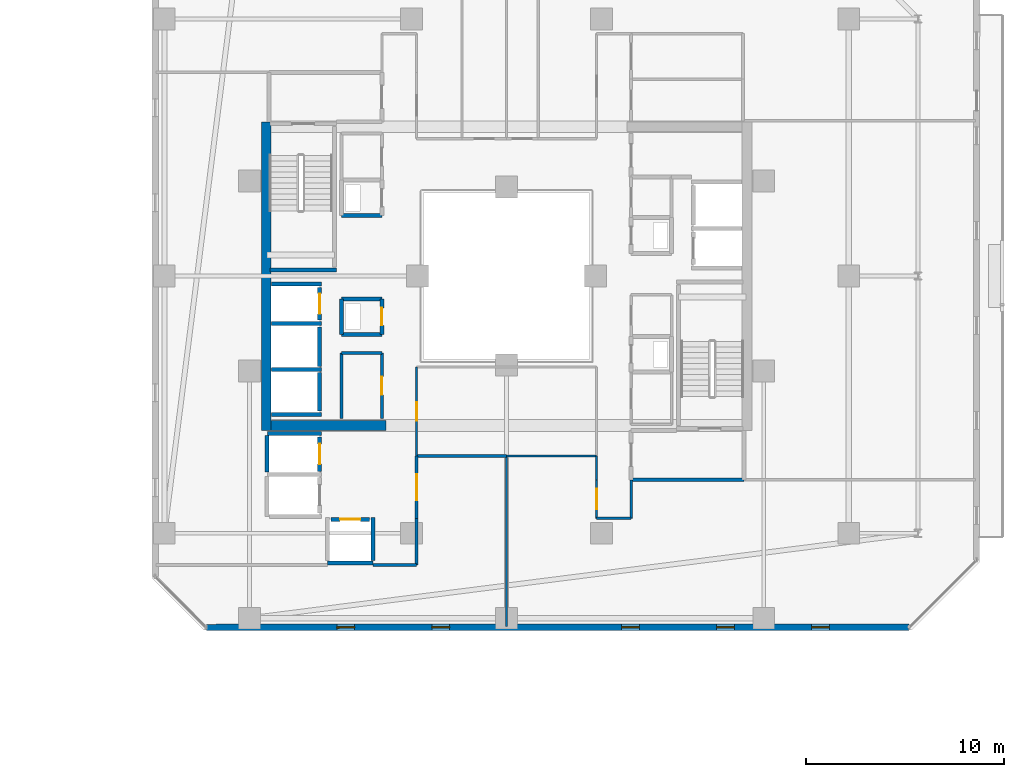
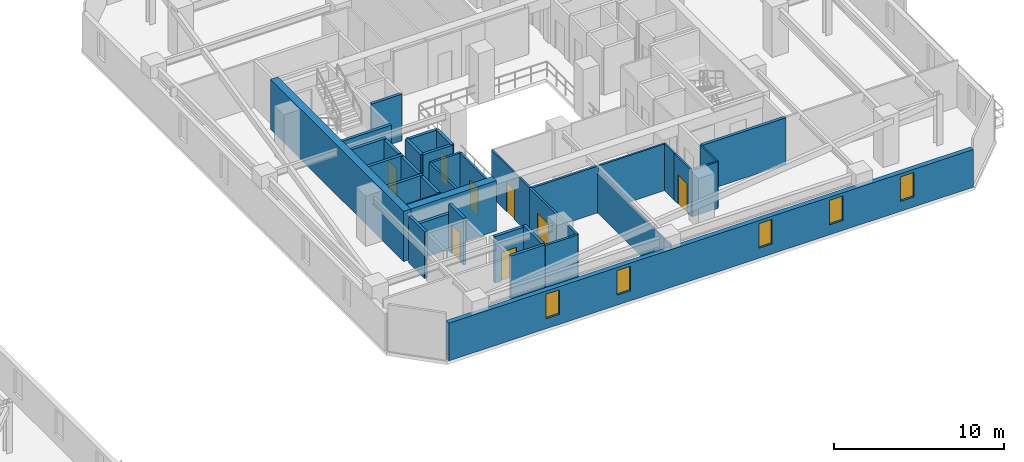
# One storey, part 23 of 33: 37 walls, 8 doors, 5 windows, 13 openings.
"""IFC4 building model written with IfcOpenShell, lengths in metres."""

import ifcopenshell
import ifcopenshell.guid

model = None  # the IFC model being written
_history = None  # IfcOwnerHistory: only IFC2X3 demands one
_inside = {}  # id of a spatial element -> (the spatial element, [elements in it])
_under = {}  # id of a project, library or spatial element -> (it, [spatial elements below it])
_declared = {}  # id of a project -> (the project, [libraries it declares])
_typed = {}  # id of a type object -> (the type object, [elements of that type])
_made_of = {}  # id of a material, layer set ... -> (it, [elements and type objects made of it])


def new_model(schema):
    """Start an empty IFC model of exactly this schema.

    Asked for "IFC4X3", IfcOpenShell would pick the latest addendum, in which some entities
    have other attributes; the version numbers below select the first issue.
    IFC2X3 requires an IfcOwnerHistory on every rooted entity: one is made here for all.
    """
    global model, _history
    if schema == "IFC4X3":
        model = ifcopenshell.file(schema_version=(4, 3, 0, 0))
    else:
        model = ifcopenshell.file(schema=schema)
    _inside.clear()
    _under.clear()
    _declared.clear()
    _typed.clear()
    _made_of.clear()
    _history = None
    if model.schema == "IFC2X3":
        org = make("IfcOrganization", Name="unknown")
        user = make(
            "IfcPersonAndOrganization",
            ThePerson=make("IfcPerson", FamilyName="unknown"),
            TheOrganization=org,
        )
        app = make(
            "IfcApplication",
            ApplicationDeveloper=org,
            Version="unknown",
            ApplicationFullName="unknown",
            ApplicationIdentifier="unknown",
        )
        _history = make(
            "IfcOwnerHistory",
            OwningUser=user,
            OwningApplication=app,
            ChangeAction="ADDED",
            CreationDate=0,
        )
    return model


def make(cls, **values):
    """One entity of the class cls with the attributes given. An attribute that is None is left unset."""
    return model.create_entity(
        cls, **{name: value for name, value in values.items() if value is not None}
    )


def rooted(cls, **values):
    """An entity with a GlobalId (a new one), such as an element, a storey or a relation."""
    return make(cls, GlobalId=ifcopenshell.guid.new(), OwnerHistory=_history, **values)


def si_unit(unit_type, name, prefix=None):
    """IfcSIUnit, for example si_unit("LENGTHUNIT", "METRE", prefix="MILLI")."""
    return make("IfcSIUnit", UnitType=unit_type, Prefix=prefix, Name=name)


def assignment(units):
    """IfcUnitAssignment: the units of a project."""
    return None if units is None else make("IfcUnitAssignment", Units=units)


def point(xyz):
    """IfcCartesianPoint."""
    return None if xyz is None else make("IfcCartesianPoint", Coordinates=xyz)


def direction(xyz):
    """IfcDirection."""
    return None if xyz is None else make("IfcDirection", DirectionRatios=xyz)


def frame(location, z_axis=None, x_axis=None):
    """IfcAxis2Placement3D, a coordinate frame: its origin and axes. An axis left out is left unset."""
    return make(
        "IfcAxis2Placement3D",
        Location=point(location),
        Axis=direction(z_axis),
        RefDirection=direction(x_axis),
    )


def frame_2d(location, x_axis=None):
    """IfcAxis2Placement2D, a coordinate frame in the plane: its origin and x axis."""
    return make(
        "IfcAxis2Placement2D", Location=point(location), RefDirection=direction(x_axis)
    )


def origin():
    """The frame at (0, 0, 0) with its axes left unset."""
    return frame((0.0, 0.0, 0.0))


def place(relative_to, where):
    """IfcLocalPlacement: puts the frame where relative to a parent placement (None: the world)."""
    return make(
        "IfcLocalPlacement", PlacementRelTo=relative_to, RelativePlacement=where
    )


def context(
    kind, dimensions, precision=None, world=None, true_north=None, identifier=None
):
    """IfcGeometricRepresentationContext, for example the 3D "Model" context."""
    return make(
        "IfcGeometricRepresentationContext",
        ContextIdentifier=identifier,
        ContextType=kind,
        CoordinateSpaceDimension=dimensions,
        Precision=precision,
        WorldCoordinateSystem=world,
        TrueNorth=true_north,
    )


def subcontext(parent, identifier, kind, view, scale=None):
    """IfcGeometricRepresentationSubContext, for example "Body" below "Model"."""
    return make(
        "IfcGeometricRepresentationSubContext",
        ContextIdentifier=identifier,
        ContextType=kind,
        ParentContext=parent,
        TargetScale=scale,
        TargetView=view,
    )


def project(units=None, contexts=None):
    """IfcProject with its units and contexts."""
    return rooted(
        "IfcProject",
        Name="project",
        RepresentationContexts=contexts,
        UnitsInContext=assignment(units),
    )


def spatial(cls, under=None, at=None, **own):
    """A site, building, storey or space (cls), placed at a placement, below another one or the project."""
    s = rooted(cls, ObjectPlacement=at, **own)
    if under is not None:
        _under.setdefault(under.id(), (under, []))[1].append(s)
    return s


def profile(cls, at=None, kind="AREA", **sizes):
    """A parametric profile (cls). Its sizes go by their IFC names, for example OverallWidth=200.0."""
    return make(cls, ProfileType=kind, Position=at, **sizes)


def rectangle(**sizes):
    """IfcRectangleProfileDef."""
    return profile("IfcRectangleProfileDef", **sizes)


def extrude(swept, where, along, depth):
    """IfcExtrudedAreaSolid: the profile swept, set in the frame where, extruded along a direction by depth."""
    return make(
        "IfcExtrudedAreaSolid",
        SweptArea=swept,
        Position=where,
        ExtrudedDirection=direction(along),
        Depth=depth,
    )


def shape(context_of_items, identifier, shape_type, items):
    """IfcShapeRepresentation: the items that make up one representation, for example the "Body"."""
    return make(
        "IfcShapeRepresentation",
        ContextOfItems=context_of_items,
        RepresentationIdentifier=identifier,
        RepresentationType=shape_type,
        Items=items,
    )


def material(Name=None, Category=None):
    """IfcMaterial."""
    return make("IfcMaterial", Name=Name, Category=Category)


def layer(
    of_material, thickness, ventilated=None, Name=None, Category=None, Priority=None
):
    """IfcMaterialLayer: one layer of a wall or slab, of a material (None: an air gap)."""
    return make(
        "IfcMaterialLayer",
        Material=of_material,
        LayerThickness=thickness,
        IsVentilated=ventilated,
        Name=Name,
        Category=Category,
        Priority=Priority,
    )


def layer_set(layers, Name=None):
    """IfcMaterialLayerSet."""
    return make("IfcMaterialLayerSet", MaterialLayers=layers, LayerSetName=Name)


def made_of(thing, what):
    """Note that an element or type object is made of a material, layer set ...; save() writes the relation."""
    if what is not None:
        _made_of.setdefault(what.id(), (what, []))[1].append(thing)
    return thing


def type_object(cls, material=None, **own):
    """A type object (cls), such as IfcWallType, which elements share."""
    return made_of(rooted(cls, **own), material)


def element(
    cls,
    number,
    at=None,
    inside=None,
    cuts=None,
    type_object=None,
    material=None,
    context=None,
    identifier="Body",
    shape_type=None,
    held_by="IfcProductDefinitionShape",
    body=None,
    shapes=None,
    **own,
):
    """One element of the class cls, such as IfcWall. Its Tag is "e" and its number.

    at: its placement. inside: the storey or other place that contains it. cuts: it is an
    opening in that element (IfcRelVoidsElement). A single representation is given by context,
    identifier, shape_type and body (its items); several are given by shapes. held_by: the class
    of the entity that holds the representations. save() writes the other relations.
    """
    e = rooted(cls, Tag="e%d" % number, ObjectPlacement=at, **own)
    if body is not None:
        shapes = [shape(context, identifier, shape_type, body)]
    if shapes is not None:
        e.Representation = make(held_by, Representations=shapes)
    if inside is not None:
        _inside.setdefault(inside.id(), (inside, []))[1].append(e)
    if cuts is not None:
        rooted(
            "IfcRelVoidsElement", RelatingBuildingElement=cuts, RelatedOpeningElement=e
        )
    if type_object is not None:
        _typed.setdefault(type_object.id(), (type_object, []))[1].append(e)
    return made_of(e, material)


def fill(opening, filler):
    """IfcRelFillsElement: the door or window that sits in an opening."""
    return rooted(
        "IfcRelFillsElement",
        RelatingOpeningElement=opening,
        RelatedBuildingElement=filler,
    )


def aggregate(whole, parts):
    """IfcRelAggregates: a whole, such as a stair, and the parts it consists of."""
    return rooted("IfcRelAggregates", RelatingObject=whole, RelatedObjects=parts)


def save(model, path):
    """Write the relations noted so far, then the file.

    IfcRelAggregates (storeys below a building ...), IfcRelContainedInSpatialStructure (elements
    in a storey), IfcRelDefinesByType, IfcRelAssociatesMaterial and IfcRelDeclares: one each for
    every whole, place, type object, material and project.
    """
    for whole, parts in _under.values():
        aggregate(whole, parts)
    for where, things in _inside.values():
        rooted(
            "IfcRelContainedInSpatialStructure",
            RelatedElements=things,
            RelatingStructure=where,
        )
    for kind, things in _typed.values():
        rooted("IfcRelDefinesByType", RelatedObjects=things, RelatingType=kind)
    for what, things in _made_of.values():
        rooted("IfcRelAssociatesMaterial", RelatedObjects=things, RelatingMaterial=what)
    for by, libraries in _declared.values():
        rooted("IfcRelDeclares", RelatingContext=by, RelatedDefinitions=libraries)
    model.write(path)


model = new_model("IFC4")

# Units and contexts
model_context = context("Model", 3, precision=1e-05, world=origin(), true_north=direction((0.0, 1.0)))
body_context = subcontext(model_context, "Body", "Model", "MODEL_VIEW")
ifc_project = project(units=[si_unit("LENGTHUNIT", "METRE"), si_unit("AREAUNIT", "SQUARE_METRE"), si_unit("VOLUMEUNIT", "CUBIC_METRE"), si_unit("PLANEANGLEUNIT", "RADIAN"), si_unit("MASSUNIT", "GRAM", prefix="KILO")], contexts=[model_context])

# Site, building, storey
site_placement = place(None, origin())
site = spatial("IfcSite", under=ifc_project, at=site_placement, CompositionType="ELEMENT")
building_placement = place(site_placement, origin())
building = spatial("IfcBuilding", under=site, at=building_placement, Name="Thornwick Lancets Civic Towers", CompositionType="ELEMENT")
storey_placement = place(building_placement, frame((0.0, 0.0, 159.89990234375)))
storey = spatial("IfcBuildingStorey", under=building, at=storey_placement, Name="L42", CompositionType="ELEMENT", Elevation=159.89990234375)

# Wall, opening, door
ifc_material_1 = material(Name="Concrete blockwork C40/50", Category="masonry")
ifc_layer_1 = layer(ifc_material_1, 0.199951171875, Name="Concrete blockwork C40/50")
ifc_layer_set_1 = layer_set([ifc_layer_1], Name="Concrete blockwork C40/50")
wall_type_1 = type_object("IfcWallType", Name="WALL_COMP_200", PredefinedType="STANDARD", material=ifc_layer_set_1)
wall_1_placement = place(storey_placement, frame((79.050048828125, 24.780029296875, 0.0), z_axis=(0.0, 0.0, 1.0), x_axis=(0.0, 1.0, 0.0)))
wall_1 = element("IfcWall", 1, at=wall_1_placement, inside=storey, type_object=wall_type_1, Name="L42 Hoistway Front Wall FL-B2", PredefinedType="STANDARD", context=body_context, shape_type="SweptSolid", body=[
    extrude(rectangle(XDim=1.639892578125, YDim=0.199951171875, at=frame_2d((0.81982421875, 0.0))), origin(), (0.0, 0.0, 1.0), 3.340087890625),
])
opening_1_placement = place(wall_1_placement, frame((0.31005859375, 0.0, 0.0)))
opening_1 = element("IfcOpeningElement", 2, at=opening_1_placement, cuts=wall_1, Name="Opening LD-FL-B2", PredefinedType="OPENING", context=body_context, shape_type="SweptSolid", body=[
    extrude(rectangle(XDim=1.02001953125, YDim=2.06005859375, at=frame_2d((0.510009765625, 1.030029296875))), frame((0.0, 0.10986328125, 0.0), z_axis=(0.0, -1.0, 0.0), x_axis=(1.0, 0.0, 0.0)), (0.0, 0.0, 1.0), 0.219970703125),
])
ifc_material_2 = material(Name="Brushed bronze stainless steel", Category="steel")
door_type_1 = type_object("IfcDoorType", Name="DOOR_LIFT_SLIDE", OperationType="SLIDING_TO_LEFT", PredefinedType="DOOR", material=ifc_material_2)
door_1_placement = place(opening_1_placement, origin())
door_1 = element("IfcDoor", 3, at=door_1_placement, inside=storey, type_object=door_type_1, Name="L42 Sliding Lift Landing Door LD-FL-B2", OperationType="SLIDING_TO_LEFT", OverallHeight=2.06005859375, OverallWidth=1.02001953125, PredefinedType="DOOR", context=body_context, shape_type="SweptSolid", body=[
    extrude(rectangle(XDim=1.02001953125, YDim=2.06005859375, at=frame_2d((0.510009765625, 1.030029296875))), frame((0.0, 0.02490234375, 0.0), z_axis=(0.0, -1.0, 0.0), x_axis=(1.0, 0.0, 0.0)), (0.0, 0.0, 1.0), 0.050048828125),
])
fill(opening_1, door_1)

# Walls
wall_2_placement = place(storey_placement, frame((79.050048828125, 22.429931640625, 0.0), z_axis=(0.0, 0.0, 1.0), x_axis=(0.0, 1.0, 0.0)))
element("IfcWall", 4, at=wall_2_placement, inside=storey, type_object=wall_type_1, Name="L42 Hoistway Front Wall PL-BH2", PredefinedType="STANDARD", context=body_context, shape_type="SweptSolid", body=[
    extrude(rectangle(XDim=1.989990234375, YDim=0.199951171875, at=frame_2d((0.9951171875, 0.0))), origin(), (0.0, 0.0, 1.0), 3.340087890625),
])
wall_3_placement = place(storey_placement, frame((79.050048828125, 20.179931640625, 0.0), z_axis=(0.0, 0.0, 1.0), x_axis=(0.0, 1.0, 0.0)))
element("IfcWall", 5, at=wall_3_placement, inside=storey, type_object=wall_type_1, Name="L42 Hoistway Front Wall PL-BH3", PredefinedType="STANDARD", context=body_context, shape_type="SweptSolid", body=[
    extrude(rectangle(XDim=1.940185546875, YDim=0.199951171875, at=frame_2d((0.97021484375, 0.0))), origin(), (0.0, 0.0, 1.0), 3.340087890625),
])

# Wall, opening, door
wall_4_placement = place(storey_placement, frame((79.050048828125, 17.1298828125, 0.0), z_axis=(0.0, 0.0, 1.0), x_axis=(0.0, 1.0, 0.0)))
wall_4 = element("IfcWall", 6, at=wall_4_placement, inside=storey, type_object=wall_type_1, Name="L42 Hoistway Front Wall PL-BM1", PredefinedType="STANDARD", context=body_context, shape_type="SweptSolid", body=[
    extrude(rectangle(XDim=1.740234375, YDim=0.199951171875, at=frame_2d((0.8701171875, 0.0))), origin(), (0.0, 0.0, 1.0), 3.340087890625),
])
opening_2_placement = place(wall_4_placement, frame((0.360107421875, 0.0, 0.0)))
opening_2 = element("IfcOpeningElement", 7, at=opening_2_placement, cuts=wall_4, Name="Opening LD-PL-BM1", PredefinedType="OPENING", context=body_context, shape_type="SweptSolid", body=[
    extrude(rectangle(XDim=1.02001953125, YDim=2.06005859375, at=frame_2d((0.510009765625, 1.030029296875))), frame((0.0, 0.10986328125, 0.0), z_axis=(0.0, -1.0, 0.0), x_axis=(1.0, 0.0, 0.0)), (0.0, 0.0, 1.0), 0.219970703125),
])
door_2_placement = place(opening_2_placement, origin())
door_2 = element("IfcDoor", 8, at=door_2_placement, inside=storey, type_object=door_type_1, Name="L42 Sliding Lift Landing Door LD-PL-BM1", OperationType="SLIDING_TO_LEFT", OverallHeight=2.06005859375, OverallWidth=1.02001953125, PredefinedType="DOOR", context=body_context, shape_type="SweptSolid", body=[
    extrude(rectangle(XDim=1.02001953125, YDim=2.06005859375, at=frame_2d((0.510009765625, 1.030029296875))), frame((0.0, 0.02490234375, 0.0), z_axis=(0.0, -1.0, 0.0), x_axis=(1.0, 0.0, 0.0)), (0.0, 0.0, 1.0), 0.050048828125),
])
fill(opening_2, door_2)

wall_5_placement = place(storey_placement, frame((79.6298828125, 14.699951171875, 0.0), z_axis=(0.0, 0.0, 1.0), x_axis=(1.0, 0.0, 0.0)))
wall_5 = element("IfcWall", 9, at=wall_5_placement, inside=storey, type_object=wall_type_1, Name="L42 Hoistway Front Wall PL-BM3", PredefinedType="STANDARD", context=body_context, shape_type="SweptSolid", body=[
    extrude(rectangle(XDim=1.940185546875, YDim=0.199951171875, at=frame_2d((0.97021484375, 0.0))), origin(), (0.0, 0.0, 1.0), 3.340087890625),
])
opening_3_placement = place(wall_5_placement, frame((0.4599609375, 0.0, 0.0)))
opening_3 = element("IfcOpeningElement", 10, at=opening_3_placement, cuts=wall_5, Name="Opening LD-PL-BM3", PredefinedType="OPENING", context=body_context, shape_type="SweptSolid", body=[
    extrude(rectangle(XDim=1.02001953125, YDim=2.06005859375, at=frame_2d((0.510009765625, 1.030029296875))), frame((0.0, 0.10986328125, 0.0), z_axis=(0.0, -1.0, 0.0), x_axis=(1.0, 0.0, 0.0)), (0.0, 0.0, 1.0), 0.219970703125),
])
door_3_placement = place(opening_3_placement, origin())
door_3 = element("IfcDoor", 11, at=door_3_placement, inside=storey, type_object=door_type_1, Name="L42 Sliding Lift Landing Door LD-PL-BM3", OperationType="SLIDING_TO_LEFT", OverallHeight=2.06005859375, OverallWidth=1.02001953125, PredefinedType="DOOR", context=body_context, shape_type="SweptSolid", body=[
    extrude(rectangle(XDim=1.02001953125, YDim=2.06005859375, at=frame_2d((0.510009765625, 1.030029296875))), frame((0.0, 0.02490234375, 0.0), z_axis=(0.0, -1.0, 0.0), x_axis=(1.0, 0.0, 0.0)), (0.0, 0.0, 1.0), 0.050048828125),
])
fill(opening_3, door_3)

# Walls
for number, where, z_axis, x_axis, name in (
    (12, (76.612060546875, 26.60009765625, 0.0), (0.0, 0.0, 1.0), (1.0, 0.0, 0.0), "L42 Hoistway Shaft Wall FL-B2 N"),
    (13, (76.612060546875, 24.60009765625, 0.0), (0.0, 0.0, 1.0), (1.0, 0.0, 0.0), "L42 Hoistway Shaft Wall FL-B2 S"),
    (14, (76.612060546875, 22.27490234375, 0.0), (0.0, 0.0, 1.0), (1.0, 0.0, 0.0), "L42 Hoistway Shaft Wall PL-BH2 S"),
    (15, (76.612060546875, 20.0, 0.0), (0.0, 0.0, 1.0), (1.0, 0.0, 0.0), "L42 Hoistway Shaft Wall PL-BH3 S"),
):
    element("IfcWall", number, at=place(storey_placement, frame(where, z_axis=z_axis, x_axis=x_axis)), inside=storey, type_object=wall_type_1, Name=name, PredefinedType="STANDARD", context=body_context, shape_type="SweptSolid", body=[
        extrude(rectangle(XDim=2.535888671875, YDim=0.199951171875, at=frame_2d((1.26806640625, 0.0))), origin(), (0.0, 0.0, 1.0), 3.340087890625),
    ])
wall_6_placement = place(storey_placement, frame((76.402099609375, 19.050048828125, 0.0), z_axis=(0.0, 0.0, 1.0), x_axis=(1.0, 0.0, 0.0)))
element("IfcWall", 16, at=wall_6_placement, inside=storey, type_object=wall_type_1, Name="L42 Hoistway Shaft Wall PL-BM1 N", PredefinedType="STANDARD", context=body_context, shape_type="SweptSolid", body=[
    extrude(rectangle(XDim=2.745849609375, YDim=0.199951171875, at=frame_2d((1.373046875, 0.0))), origin(), (0.0, 0.0, 1.0), 2.545166015625),
])
wall_7_placement = place(storey_placement, frame((76.39990234375, 17.08203125, 0.0), z_axis=(0.0, 0.0, 1.0), x_axis=(0.0, 1.0, 0.0)))
element("IfcWall", 17, at=wall_7_placement, inside=storey, type_object=wall_type_1, Name="L42 Hoistway Shaft Wall PL-BM1 W", PredefinedType="STANDARD", context=body_context, shape_type="SweptSolid", body=[
    extrude(rectangle(XDim=1.85595703125, YDim=0.199951171875, at=frame_2d((0.927978515625, 0.0))), origin(), (0.0, 0.0, 1.0), 3.340087890625),
])
wall_8_placement = place(storey_placement, frame((79.451904296875, 12.5, 0.0), z_axis=(0.0, 0.0, 1.0), x_axis=(1.0, 0.0, 0.0)))
element("IfcWall", 18, at=wall_8_placement, inside=storey, type_object=wall_type_1, Name="L42 Hoistway Shaft Wall PL-BM3 S", PredefinedType="STANDARD", context=body_context, shape_type="SweptSolid", body=[
    extrude(rectangle(XDim=2.296142578125, YDim=0.199951171875, at=frame_2d((1.14794921875, 0.0))), origin(), (0.0, 0.0, 1.0), 3.340087890625),
])
wall_9_placement = place(storey_placement, frame((81.75, 12.612060546875, 0.0), z_axis=(0.0, 0.0, 1.0), x_axis=(0.0, 1.0, 0.0)))
element("IfcWall", 19, at=wall_9_placement, inside=storey, type_object=wall_type_1, Name="L42 Hoistway Shaft Wall PL-BM3 E", PredefinedType="STANDARD", context=body_context, shape_type="SweptSolid", body=[
    extrude(rectangle(XDim=2.18603515625, YDim=0.199951171875, at=frame_2d((1.093017578125, 0.0))), origin(), (0.0, 0.0, 1.0), 3.340087890625),
])
wall_10_placement = place(storey_placement, frame((94.800048828125, 16.699951171875, 0.0), z_axis=(0.0, 0.0, 1.0), x_axis=(1.0, 0.0, 0.0)))
element("IfcWall", 20, at=wall_10_placement, inside=storey, type_object=wall_type_1, Name="L42 Partition L42-B-FFLOB1 E1", PredefinedType="STANDARD", context=body_context, shape_type="SweptSolid", body=[
    extrude(rectangle(XDim=5.699951171875, YDim=0.199951171875, at=frame_2d((2.85009765625, 0.0))), origin(), (0.0, 0.0, 1.0), 3.340087890625),
])
wall_11_placement = place(storey_placement, frame((80.14990234375, 24.050048828125, 0.0), z_axis=(0.0, 0.0, 1.0), x_axis=(1.0, 0.0, 0.0)))
element("IfcWall", 21, at=wall_11_placement, inside=storey, type_object=wall_type_1, Name="L42 Partition L42-B-DUCT2 E1", PredefinedType="STANDARD", context=body_context, shape_type="SweptSolid", body=[
    extrude(rectangle(XDim=2.050048828125, YDim=0.199951171875, at=frame_2d((1.02490234375, 0.0))), origin(), (0.0, 0.0, 1.0), 3.340087890625),
])

# Wall, opening, door
wall_12_placement = place(storey_placement, frame((82.199951171875, 24.050048828125, 0.0), z_axis=(0.0, 0.0, 1.0), x_axis=(0.0, 1.0, 0.0)))
wall_12 = element("IfcWall", 22, at=wall_12_placement, inside=storey, type_object=wall_type_1, Name="L42 Partition L42-B-DUCT2 E2", PredefinedType="STANDARD", context=body_context, shape_type="SweptSolid", body=[
    extrude(rectangle(XDim=1.800048828125, YDim=0.199951171875, at=frame_2d((0.89990234375, 0.0))), origin(), (0.0, 0.0, 1.0), 3.340087890625),
])
opening_4_placement = place(wall_12_placement, frame((0.4599609375, 0.0, 0.0)))
opening_4 = element("IfcOpeningElement", 23, at=opening_4_placement, cuts=wall_12, Name="Opening D-L42-1881", PredefinedType="OPENING", context=body_context, shape_type="SweptSolid", body=[
    extrude(rectangle(XDim=0.8798828125, YDim=2.0400390625, at=frame_2d((0.43994140625, 1.02001953125))), frame((0.0, 0.10986328125, 0.0), z_axis=(0.0, -1.0, 0.0), x_axis=(1.0, 0.0, 0.0)), (0.0, 0.0, 1.0), 0.219970703125),
])
ifc_material_3 = material(Name="Steel riser access doorset", Category="steel")
door_type_2 = type_object("IfcDoorType", Name="DOOR_RISER_850", OperationType="NOTDEFINED", PredefinedType="DOOR", material=ifc_material_3)
door_4_placement = place(opening_4_placement, origin())
door_4 = element("IfcDoor", 24, at=door_4_placement, inside=storey, type_object=door_type_2, Name="L42 West Service Duct 2 Door", OperationType="SINGLE_SWING_RIGHT", OverallHeight=2.0400390625, OverallWidth=0.8798828125, PredefinedType="DOOR", context=body_context, shape_type="SweptSolid", body=[
    extrude(rectangle(XDim=0.8798828125, YDim=2.0400390625, at=frame_2d((0.43994140625, 1.02001953125))), frame((0.0, 0.02490234375, 0.0), z_axis=(0.0, -1.0, 0.0), x_axis=(1.0, 0.0, 0.0)), (0.0, 0.0, 1.0), 0.050048828125),
])
fill(opening_4, door_4)

# Walls
wall_13_placement = place(storey_placement, frame((82.199951171875, 25.85009765625, 0.0), z_axis=(0.0, 0.0, 1.0), x_axis=(-1.0, 0.0, 0.0)))
element("IfcWall", 25, at=wall_13_placement, inside=storey, type_object=wall_type_1, Name="L42 Partition L42-B-DUCT2 E3", PredefinedType="STANDARD", context=body_context, shape_type="SweptSolid", body=[
    extrude(rectangle(XDim=2.050048828125, YDim=0.199951171875, at=frame_2d((1.02490234375, 0.0))), origin(), (0.0, 0.0, 1.0), 3.340087890625),
])
wall_14_placement = place(storey_placement, frame((80.14990234375, 25.85009765625, 0.0), z_axis=(0.0, 0.0, 1.0), x_axis=(0.0, -1.0, 0.0)))
element("IfcWall", 26, at=wall_14_placement, inside=storey, type_object=wall_type_1, Name="L42 Partition L42-B-DUCT2 E4", PredefinedType="STANDARD", context=body_context, shape_type="SweptSolid", body=[
    extrude(rectangle(XDim=1.800048828125, YDim=0.199951171875, at=frame_2d((0.89990234375, 0.0))), origin(), (0.0, 0.0, 1.0), 3.340087890625),
])
wall_15_placement = place(storey_placement, frame((80.14990234375, 30.050048828125, 0.0), z_axis=(0.0, 0.0, 1.0), x_axis=(1.0, 0.0, 0.0)))
element("IfcWall", 27, at=wall_15_placement, inside=storey, type_object=wall_type_1, Name="L42 Partition L42-B-RISER2 E1", PredefinedType="STANDARD", context=body_context, shape_type="SweptSolid", body=[
    extrude(rectangle(XDim=2.050048828125, YDim=0.199951171875, at=frame_2d((1.02490234375, 0.0))), origin(), (0.0, 0.0, 1.0), 3.340087890625),
])
ifc_material_4 = material(Name="Concrete C50/60", Category="concrete")
ifc_layer_2 = layer(ifc_material_4, 0.5, Name="Concrete C50/60")
ifc_layer_set_2 = layer_set([ifc_layer_2], Name="Concrete C50/60")
wall_type_2 = type_object("IfcWallType", Name="WALL_CORE_500", PredefinedType="SHEAR", material=ifc_layer_set_2)
wall_16_placement = place(storey_placement, frame((76.35009765625, 19.199951171875, 0.0), z_axis=(0.0, 0.0, 1.0), x_axis=(0.0, 1.0, 0.0)))
element("IfcWall", 28, at=wall_16_placement, inside=storey, type_object=wall_type_2, Name="L42 Split Core B2 Shear Wall W", PredefinedType="SHEAR", context=body_context, shape_type="SweptSolid", body=[
    extrude(rectangle(XDim=15.60009765625, YDim=0.5, at=frame_2d((7.800048828125, 0.0))), origin(), (0.0, 0.0, 1.0), 3.60009765625),
])
wall_17_placement = place(storey_placement, frame((76.60009765625, 19.449951171875, 0.0), z_axis=(0.0, 0.0, 1.0), x_axis=(1.0, 0.0, 0.0)))
element("IfcWall", 29, at=wall_17_placement, inside=storey, type_object=wall_type_2, Name="L42 Split Core B2 Shear Wall S", PredefinedType="SHEAR", context=body_context, shape_type="SweptSolid", body=[
    extrude(rectangle(XDim=5.7998046875, YDim=0.5, at=frame_2d((2.89990234375, 0.0))), origin(), (0.0, 0.0, 1.0), 3.60009765625),
])

# Wall, openings, windows
ifc_material_5 = material(Name="Insulated buff terracotta rainscreen on concrete C40/50", Category="masonry")
ifc_layer_3 = layer(ifc_material_5, 0.320068359375, Name="Insulated buff terracotta rainscreen on concrete C40/50")
ifc_layer_set_3 = layer_set([ifc_layer_3], Name="Insulated buff terracotta rainscreen on concrete C40/50")
wall_type_3 = type_object("IfcWallType", Name="WALL_EXT_TERRA_320", PredefinedType="STANDARD", material=ifc_layer_set_3)
wall_18_placement = place(storey_placement, frame((73.318603515625, 9.2353515625, 0.0), z_axis=(0.0, 0.0, 1.0), x_axis=(0.999999997144, 7.5574884e-05, 0.0)))
wall_18 = element("IfcWall", 30, at=wall_18_placement, inside=storey, type_object=wall_type_3, Name="L42 Tower B Terracotta Facade Wall E0", PredefinedType="STANDARD", context=body_context, shape_type="SweptSolid", body=[
    extrude(rectangle(XDim=35.534912109375, YDim=0.320068359375, at=frame_2d((17.767578125, 0.0))), origin(), (0.0, 0.0, 1.0), 2.7001953125),
])
opening_5_placement = place(wall_18_placement, frame((6.60009765625, 0.0, 0.719970703125)))
opening_5 = element("IfcOpeningElement", 31, at=opening_5_placement, cuts=wall_18, Name="Opening WL-01", PredefinedType="OPENING", context=body_context, shape_type="SweptSolid", body=[
    extrude(rectangle(XDim=0.89990234375, YDim=1.75, at=frame_2d((0.449951171875, 0.875))), frame((0.0, 0.169921875, 0.0), z_axis=(0.0, -1.0, 0.0), x_axis=(1.0, 0.0, 0.0)), (0.0, 0.0, 1.0), 0.340087890625),
])
opening_6_placement = place(wall_18_placement, frame((11.39990234375, 0.0, 0.719970703125)))
opening_6 = element("IfcOpeningElement", 32, at=opening_6_placement, cuts=wall_18, Name="Opening WL-01", PredefinedType="OPENING", context=body_context, shape_type="SweptSolid", body=[
    extrude(rectangle(XDim=0.89990234375, YDim=1.75, at=frame_2d((0.449951171875, 0.875))), frame((0.0, 0.169921875, 0.0), z_axis=(0.0, -1.0, 0.0), x_axis=(1.0, 0.0, 0.0)), (0.0, 0.0, 1.0), 0.340087890625),
])
opening_7_placement = place(wall_18_placement, frame((21.0, 0.0, 0.719970703125)))
opening_7 = element("IfcOpeningElement", 33, at=opening_7_placement, cuts=wall_18, Name="Opening WL-01", PredefinedType="OPENING", context=body_context, shape_type="SweptSolid", body=[
    extrude(rectangle(XDim=0.89990234375, YDim=1.75, at=frame_2d((0.449951171875, 0.875))), frame((0.0, 0.169921875, 0.0), z_axis=(0.0, -1.0, 0.0), x_axis=(1.0, 0.0, 0.0)), (0.0, 0.0, 1.0), 0.340087890625),
])
opening_8_placement = place(wall_18_placement, frame((25.800048828125, 0.0, 0.719970703125)))
opening_8 = element("IfcOpeningElement", 34, at=opening_8_placement, cuts=wall_18, Name="Opening WL-01", PredefinedType="OPENING", context=body_context, shape_type="SweptSolid", body=[
    extrude(rectangle(XDim=0.89990234375, YDim=1.75, at=frame_2d((0.449951171875, 0.875))), frame((0.0, 0.169921875, 0.0), z_axis=(0.0, -1.0, 0.0), x_axis=(1.0, 0.0, 0.0)), (0.0, 0.0, 1.0), 0.340087890625),
])
opening_9_placement = place(wall_18_placement, frame((30.60009765625, 0.0, 0.719970703125)))
opening_9 = element("IfcOpeningElement", 35, at=opening_9_placement, cuts=wall_18, Name="Opening WL-01", PredefinedType="OPENING", context=body_context, shape_type="SweptSolid", body=[
    extrude(rectangle(XDim=0.89990234375, YDim=1.75, at=frame_2d((0.449951171875, 0.875))), frame((0.0, 0.169921875, 0.0), z_axis=(0.0, -1.0, 0.0), x_axis=(1.0, 0.0, 0.0)), (0.0, 0.0, 1.0), 0.340087890625),
])
ifc_material_6 = material(Name="Clear low-e double glazing in bronze frame", Category="glass")
window_type = type_object("IfcWindowType", Name="WIN_LANCET_900", PartitioningType="SINGLE_PANEL", PredefinedType="WINDOW", material=ifc_material_6)
window_1_placement = place(opening_5_placement, origin())
window_1 = element("IfcWindow", 36, at=window_1_placement, inside=storey, type_object=window_type, Name="L42 Tower B Staggered Lancet Window E0-1", OverallHeight=1.75, OverallWidth=0.89990234375, PartitioningType="SINGLE_PANEL", PredefinedType="WINDOW", context=body_context, shape_type="SweptSolid", body=[
    extrude(rectangle(XDim=0.89990234375, YDim=1.75, at=frame_2d((0.449951171875, 0.875))), frame((0.0, 0.030029296875, 0.0), z_axis=(0.0, -1.0, 0.0), x_axis=(1.0, 0.0, 0.0)), (0.0, 0.0, 1.0), 0.06005859375),
])
fill(opening_5, window_1)
window_2_placement = place(opening_6_placement, origin())
window_2 = element("IfcWindow", 37, at=window_2_placement, inside=storey, type_object=window_type, Name="L42 Tower B Staggered Lancet Window E0-2", OverallHeight=1.75, OverallWidth=0.89990234375, PartitioningType="SINGLE_PANEL", PredefinedType="WINDOW", context=body_context, shape_type="SweptSolid", body=[
    extrude(rectangle(XDim=0.89990234375, YDim=1.75, at=frame_2d((0.449951171875, 0.875))), frame((0.0, 0.030029296875, 0.0), z_axis=(0.0, -1.0, 0.0), x_axis=(1.0, 0.0, 0.0)), (0.0, 0.0, 1.0), 0.06005859375),
])
fill(opening_6, window_2)
window_3_placement = place(opening_7_placement, origin())
window_3 = element("IfcWindow", 38, at=window_3_placement, inside=storey, type_object=window_type, Name="L42 Tower B Staggered Lancet Window E0-3", OverallHeight=1.75, OverallWidth=0.89990234375, PartitioningType="SINGLE_PANEL", PredefinedType="WINDOW", context=body_context, shape_type="SweptSolid", body=[
    extrude(rectangle(XDim=0.89990234375, YDim=1.75, at=frame_2d((0.449951171875, 0.875))), frame((0.0, 0.030029296875, 0.0), z_axis=(0.0, -1.0, 0.0), x_axis=(1.0, 0.0, 0.0)), (0.0, 0.0, 1.0), 0.06005859375),
])
fill(opening_7, window_3)
window_4_placement = place(opening_8_placement, origin())
window_4 = element("IfcWindow", 39, at=window_4_placement, inside=storey, type_object=window_type, Name="L42 Tower B Staggered Lancet Window E0-4", OverallHeight=1.75, OverallWidth=0.89990234375, PartitioningType="SINGLE_PANEL", PredefinedType="WINDOW", context=body_context, shape_type="SweptSolid", body=[
    extrude(rectangle(XDim=0.89990234375, YDim=1.75, at=frame_2d((0.449951171875, 0.875))), frame((0.0, 0.030029296875, 0.0), z_axis=(0.0, -1.0, 0.0), x_axis=(1.0, 0.0, 0.0)), (0.0, 0.0, 1.0), 0.06005859375),
])
fill(opening_8, window_4)
window_5_placement = place(opening_9_placement, origin())
window_5 = element("IfcWindow", 40, at=window_5_placement, inside=storey, type_object=window_type, Name="L42 Tower B Staggered Lancet Window E0-5", OverallHeight=1.75, OverallWidth=0.89990234375, PartitioningType="SINGLE_PANEL", PredefinedType="WINDOW", context=body_context, shape_type="SweptSolid", body=[
    extrude(rectangle(XDim=0.89990234375, YDim=1.75, at=frame_2d((0.449951171875, 0.875))), frame((0.0, 0.030029296875, 0.0), z_axis=(0.0, -1.0, 0.0), x_axis=(1.0, 0.0, 0.0)), (0.0, 0.0, 1.0), 0.06005859375),
])
fill(opening_9, window_5)

# Walls
ifc_material_7 = material(Name="Acoustic gypsum board partition")
ifc_layer_4 = layer(ifc_material_7, 0.1201171875, Name="Acoustic gypsum board partition")
ifc_layer_set_4 = layer_set([ifc_layer_4], Name="Acoustic gypsum board partition")
wall_type_4 = type_object("IfcWallType", Name="WALL_PART_120", PredefinedType="PARTITIONING", material=ifc_layer_set_4)
wall_19_placement = place(storey_placement, frame((88.5, 9.280029296875, 0.0), z_axis=(0.0, 0.0, 1.0), x_axis=(0.0, 1.0, 0.0)))
element("IfcWall", 41, at=wall_19_placement, inside=storey, type_object=wall_type_4, Name="L42 Partition L42-B-W1 E2", PredefinedType="PARTITIONING", context=body_context, shape_type="SweptSolid", body=[
    extrude(rectangle(XDim=8.619873046875, YDim=0.1201171875, at=frame_2d((4.31005859375, 0.0))), origin(), (0.0, 0.0, 1.0), 2.8779296875),
])
wall_20_placement = place(storey_placement, frame((88.5, 17.89990234375, 0.0), z_axis=(0.0, 0.0, 1.0), x_axis=(1.0, 0.0, 0.0)))
element("IfcWall", 42, at=wall_20_placement, inside=storey, type_object=wall_type_4, Name="L42 Partition L42-B-W1 E3", PredefinedType="PARTITIONING", context=body_context, shape_type="SweptSolid", body=[
    extrude(rectangle(XDim=4.550048828125, YDim=0.1201171875, at=frame_2d((2.27490234375, 0.0))), origin(), (0.0, 0.0, 1.0), 3.340087890625),
])
wall_21_placement = place(storey_placement, frame((93.050048828125, 17.89990234375, 0.0), z_axis=(0.0, 0.0, 1.0), x_axis=(0.0, -1.0, 0.0)))
element("IfcWall", 43, at=wall_21_placement, inside=storey, type_object=wall_type_4, Name="L42 Partition L42-B-W1 E4", PredefinedType="PARTITIONING", context=body_context, shape_type="SweptSolid", body=[
    extrude(rectangle(XDim=1.199951171875, YDim=0.1201171875, at=frame_2d((0.60009765625, 0.0))), origin(), (0.0, 0.0, 1.0), 3.340087890625),
])

# Wall, opening, door
wall_22_placement = place(storey_placement, frame((93.050048828125, 16.699951171875, 0.0), z_axis=(0.0, 0.0, 1.0), x_axis=(0.0, -1.0, 0.0)))
wall_22 = element("IfcWall", 44, at=wall_22_placement, inside=storey, type_object=wall_type_4, Name="L42 Partition L42-B-W1 E5", PredefinedType="PARTITIONING", context=body_context, shape_type="SweptSolid", body=[
    extrude(rectangle(XDim=1.949951171875, YDim=0.1201171875, at=frame_2d((0.97509765625, 0.0))), origin(), (0.0, 0.0, 1.0), 3.340087890625),
])
opening_10_placement = place(wall_22_placement, frame((0.449951171875, 0.0, 0.0)))
opening_10 = element("IfcOpeningElement", 45, at=opening_10_placement, cuts=wall_22, Name="Opening D-L42-1900", PredefinedType="OPENING", context=body_context, shape_type="SweptSolid", body=[
    extrude(rectangle(XDim=1.050048828125, YDim=2.10009765625, at=frame_2d((0.52490234375, 1.050048828125))), frame((0.0, 0.070068359375, 0.0), z_axis=(0.0, -1.0, 0.0), x_axis=(1.0, 0.0, 0.0)), (0.0, 0.0, 1.0), 0.14013671875),
])
ifc_material_8 = material(Name="Glazed European oak executive doorset")
door_type_3 = type_object("IfcDoorType", Name="DOOR_OFFICE_1050", OperationType="NOTDEFINED", PredefinedType="DOOR", material=ifc_material_8)
door_5_placement = place(opening_10_placement, origin())
door_5 = element("IfcDoor", 46, at=door_5_placement, inside=storey, type_object=door_type_3, Name="L42 Tower B Ministry Directorate Office W1 Door", OperationType="SINGLE_SWING_LEFT", OverallHeight=2.10009765625, OverallWidth=1.050048828125, PredefinedType="DOOR", context=body_context, shape_type="SweptSolid", body=[
    extrude(rectangle(XDim=1.050048828125, YDim=2.10009765625, at=frame_2d((0.52490234375, 1.050048828125))), frame((0.0, 0.02490234375, 0.0), z_axis=(0.0, -1.0, 0.0), x_axis=(1.0, 0.0, 0.0)), (0.0, 0.0, 1.0), 0.050048828125),
])
fill(opening_10, door_5)

# Walls
wall_23_placement = place(storey_placement, frame((93.050048828125, 14.75, 0.0), z_axis=(0.0, 0.0, 1.0), x_axis=(1.0, 0.0, 0.0)))
element("IfcWall", 47, at=wall_23_placement, inside=storey, type_object=wall_type_4, Name="L42 Partition L42-B-W1 E6", PredefinedType="PARTITIONING", context=body_context, shape_type="SweptSolid", body=[
    extrude(rectangle(XDim=1.75, YDim=0.1201171875, at=frame_2d((0.875, 0.0))), origin(), (0.0, 0.0, 1.0), 3.340087890625),
])
wall_24_placement = place(storey_placement, frame((94.800048828125, 14.75, 0.0), z_axis=(0.0, 0.0, 1.0), x_axis=(0.0, 1.0, 0.0)))
element("IfcWall", 48, at=wall_24_placement, inside=storey, type_object=wall_type_4, Name="L42 Partition L42-B-W1 E7", PredefinedType="PARTITIONING", context=body_context, shape_type="SweptSolid", body=[
    extrude(rectangle(XDim=1.949951171875, YDim=0.1201171875, at=frame_2d((0.97509765625, 0.0))), origin(), (0.0, 0.0, 1.0), 3.340087890625),
])

# Wall, opening, door
wall_25_placement = place(storey_placement, frame((83.949951171875, 17.89990234375, 0.0), z_axis=(0.0, 0.0, 1.0), x_axis=(0.0, 1.0, 0.0)))
wall_25 = element("IfcWall", 49, at=wall_25_placement, inside=storey, type_object=wall_type_4, Name="L42 Partition L42-B-W3 E1", PredefinedType="PARTITIONING", context=body_context, shape_type="SweptSolid", body=[
    extrude(rectangle(XDim=4.5, YDim=0.1201171875, at=frame_2d((2.25, 0.0))), origin(), (0.0, 0.0, 1.0), 3.340087890625),
])
opening_11_placement = place(wall_25_placement, frame((1.77490234375, 0.0, 0.0)))
opening_11 = element("IfcOpeningElement", 50, at=opening_11_placement, cuts=wall_25, Name="Opening D-L42-1902", PredefinedType="OPENING", context=body_context, shape_type="SweptSolid", body=[
    extrude(rectangle(XDim=0.949951171875, YDim=2.10009765625, at=frame_2d((0.47509765625, 1.050048828125))), frame((0.0, 0.070068359375, 0.0), z_axis=(0.0, -1.0, 0.0), x_axis=(1.0, 0.0, 0.0)), (0.0, 0.0, 1.0), 0.14013671875),
])
ifc_material_9 = material(Name="European oak acoustic doorset")
door_type_4 = type_object("IfcDoorType", Name="DOOR_OFFICE_950", OperationType="NOTDEFINED", PredefinedType="DOOR", material=ifc_material_9)
door_6_placement = place(opening_11_placement, origin())
door_6 = element("IfcDoor", 51, at=door_6_placement, inside=storey, type_object=door_type_4, Name="L42 Tower B West Atrium Reading Lounge Door", OperationType="SINGLE_SWING_LEFT", OverallHeight=2.10009765625, OverallWidth=0.949951171875, PredefinedType="DOOR", context=body_context, shape_type="SweptSolid", body=[
    extrude(rectangle(XDim=0.949951171875, YDim=2.10009765625, at=frame_2d((0.47509765625, 1.050048828125))), frame((0.0, 0.02490234375, 0.0), z_axis=(0.0, -1.0, 0.0), x_axis=(1.0, 0.0, 0.0)), (0.0, 0.0, 1.0), 0.050048828125),
])
fill(opening_11, door_6)

ifc_material_10 = material(Name="Twin-stud acoustic gypsum board")
ifc_layer_5 = layer(ifc_material_10, 0.14990234375, Name="Twin-stud acoustic gypsum board")
ifc_layer_set_5 = layer_set([ifc_layer_5], Name="Twin-stud acoustic gypsum board")
wall_type_5 = type_object("IfcWallType", Name="WALL_PART_150", PredefinedType="PARTITIONING", material=ifc_layer_set_5)
wall_26_placement = place(storey_placement, frame((82.199951171875, 19.800048828125, 0.0), z_axis=(0.0, 0.0, 1.0), x_axis=(0.0, 1.0, 0.0)))
wall_26 = element("IfcWall", 52, at=wall_26_placement, inside=storey, type_object=wall_type_5, Name="L42 Partition L42-B-MWC E2", PredefinedType="PARTITIONING", context=body_context, shape_type="SweptSolid", body=[
    extrude(rectangle(XDim=3.300048828125, YDim=0.14990234375, at=frame_2d((1.64990234375, 0.0))), origin(), (0.0, 0.0, 1.0), 3.340087890625),
])
opening_12_placement = place(wall_26_placement, frame((1.18994140625, 0.0, 0.0)))
opening_12 = element("IfcOpeningElement", 53, at=opening_12_placement, cuts=wall_26, Name="Opening D-L42-1887", PredefinedType="OPENING", context=body_context, shape_type="SweptSolid", body=[
    extrude(rectangle(XDim=0.919921875, YDim=2.080078125, at=frame_2d((0.4599609375, 1.0400390625))), frame((0.0, 0.0849609375, 0.0), z_axis=(0.0, -1.0, 0.0), x_axis=(1.0, 0.0, 0.0)), (0.0, 0.0, 1.0), 0.169921875),
])
ifc_material_11 = material(Name="Moisture-resistant oak doorset")
door_type_5 = type_object("IfcDoorType", Name="DOOR_WC_900", OperationType="NOTDEFINED", PredefinedType="DOOR", material=ifc_material_11)
door_7_placement = place(opening_12_placement, origin())
door_7 = element("IfcDoor", 54, at=door_7_placement, inside=storey, type_object=door_type_5, Name="L42 Tower B Male WC Door", OperationType="SINGLE_SWING_RIGHT", OverallHeight=2.080078125, OverallWidth=0.919921875, PredefinedType="DOOR", context=body_context, shape_type="SweptSolid", body=[
    extrude(rectangle(XDim=0.919921875, YDim=2.080078125, at=frame_2d((0.4599609375, 1.0400390625))), frame((0.0, 0.02490234375, 0.0), z_axis=(0.0, -1.0, 0.0), x_axis=(1.0, 0.0, 0.0)), (0.0, 0.0, 1.0), 0.050048828125),
])
fill(opening_12, door_7)

# Walls
wall_27_placement = place(storey_placement, frame((82.199951171875, 23.10009765625, 0.0), z_axis=(0.0, 0.0, 1.0), x_axis=(-1.0, 0.0, 0.0)))
element("IfcWall", 55, at=wall_27_placement, inside=storey, type_object=wall_type_5, Name="L42 Partition L42-B-MWC E3", PredefinedType="PARTITIONING", context=body_context, shape_type="SweptSolid", body=[
    extrude(rectangle(XDim=2.050048828125, YDim=0.14990234375, at=frame_2d((1.02490234375, 0.0))), origin(), (0.0, 0.0, 1.0), 3.340087890625),
])
wall_28_placement = place(storey_placement, frame((80.14990234375, 23.10009765625, 0.0), z_axis=(0.0, 0.0, 1.0), x_axis=(0.0, -1.0, 0.0)))
element("IfcWall", 56, at=wall_28_placement, inside=storey, type_object=wall_type_5, Name="L42 Partition L42-B-MWC E4", PredefinedType="PARTITIONING", context=body_context, shape_type="SweptSolid", body=[
    extrude(rectangle(XDim=3.300048828125, YDim=0.14990234375, at=frame_2d((1.64990234375, 0.0))), origin(), (0.0, 0.0, 1.0), 3.340087890625),
])

# Wall, opening, door
wall_29_placement = place(storey_placement, frame((83.949951171875, 14.75, 0.0), z_axis=(0.0, 0.0, 1.0), x_axis=(0.0, 1.0, 0.0)))
wall_29 = element("IfcWall", 57, at=wall_29_placement, inside=storey, type_object=wall_type_5, Name="L42 Partition L42-B-W2 E1", PredefinedType="PARTITIONING", context=body_context, shape_type="SweptSolid", body=[
    extrude(rectangle(XDim=3.14990234375, YDim=0.14990234375, at=frame_2d((1.574951171875, 0.0))), origin(), (0.0, 0.0, 1.0), 3.340087890625),
])
opening_13_placement = place(wall_29_placement, frame((0.925048828125, 0.0, 0.0)))
opening_13 = element("IfcOpeningElement", 58, at=opening_13_placement, cuts=wall_29, Name="Opening D-L42-1901", PredefinedType="OPENING", context=body_context, shape_type="SweptSolid", body=[
    extrude(rectangle(XDim=1.300048828125, YDim=2.1201171875, at=frame_2d((0.64990234375, 1.06005859375))), frame((0.0, 0.0849609375, 0.0), z_axis=(0.0, -1.0, 0.0), x_axis=(1.0, 0.0, 0.0)), (0.0, 0.0, 1.0), 0.169921875),
])
ifc_material_12 = material(Name="Acoustic oak leaf-and-a-half doorset")
door_type_6 = type_object("IfcDoorType", Name="DOOR_MEET_1300", OperationType="DOUBLE_DOOR_SINGLE_SWING", PredefinedType="DOOR", material=ifc_material_12)
door_8_placement = place(opening_13_placement, origin())
door_8 = element("IfcDoor", 59, at=door_8_placement, inside=storey, type_object=door_type_6, Name="L42 Tower B Policy Briefing Room W2 Door", OperationType="DOUBLE_DOOR_SINGLE_SWING", OverallHeight=2.1201171875, OverallWidth=1.300048828125, PredefinedType="DOOR", context=body_context, shape_type="SweptSolid", body=[
    extrude(rectangle(XDim=1.300048828125, YDim=2.1201171875, at=frame_2d((0.64990234375, 1.06005859375))), frame((0.0, 0.02490234375, 0.0), z_axis=(0.0, -1.0, 0.0), x_axis=(1.0, 0.0, 0.0)), (0.0, 0.0, 1.0), 0.050048828125),
])
fill(opening_13, door_8)

# Walls
wall_30_placement = place(storey_placement, frame((83.949951171875, 17.89990234375, 0.0), z_axis=(0.0, 0.0, 1.0), x_axis=(1.0, 0.0, 0.0)))
element("IfcWall", 60, at=wall_30_placement, inside=storey, type_object=wall_type_5, Name="L42 Partition L42-B-W2 E2", PredefinedType="PARTITIONING", context=body_context, shape_type="SweptSolid", body=[
    extrude(rectangle(XDim=4.550048828125, YDim=0.14990234375, at=frame_2d((2.27490234375, 0.0))), origin(), (0.0, 0.0, 1.0), 3.340087890625),
])
wall_31_placement = place(storey_placement, frame((81.748046875, 12.39990234375, 0.0), z_axis=(0.0, 0.0, 1.0), x_axis=(1.0, 0.0, 0.0)))
element("IfcWall", 61, at=wall_31_placement, inside=storey, type_object=wall_type_5, Name="L42 Partition L42-B-W2 E7", PredefinedType="PARTITIONING", context=body_context, shape_type="SweptSolid", body=[
    extrude(rectangle(XDim=2.201904296875, YDim=0.14990234375, at=frame_2d((1.10107421875, 0.0))), origin(), (0.0, 0.0, 1.0), 3.340087890625),
])
wall_32_placement = place(storey_placement, frame((83.949951171875, 12.39990234375, 0.0), z_axis=(0.0, 0.0, 1.0), x_axis=(0.0, 1.0, 0.0)))
element("IfcWall", 62, at=wall_32_placement, inside=storey, type_object=wall_type_5, Name="L42 Partition L42-B-W2 E8", PredefinedType="PARTITIONING", context=body_context, shape_type="SweptSolid", body=[
    extrude(rectangle(XDim=2.35009765625, YDim=0.14990234375, at=frame_2d((1.175048828125, 0.0))), origin(), (0.0, 0.0, 1.0), 3.340087890625),
])
ifc_material_13 = material(Name="Concrete C40/50", Category="concrete")
ifc_layer_6 = layer(ifc_material_13, 0.199951171875, Name="Concrete C40/50")
ifc_layer_set_6 = layer_set([ifc_layer_6], Name="Concrete C40/50")
wall_type_6 = type_object("IfcWallType", Name="WALL_SHAFT_200", PredefinedType="SHEAR", material=ifc_layer_set_6)
wall_33_placement = place(storey_placement, frame((79.89990234375, 27.300048828125, 0.0), z_axis=(0.0, 0.0, 1.0), x_axis=(-1.0, 0.0, 0.0)))
element("IfcWall", 63, at=wall_33_placement, inside=storey, type_object=wall_type_6, Name="L42 ST-B2 Fire Stair Core Wall FAR", PredefinedType="SHEAR", context=body_context, shape_type="SweptSolid", body=[
    extrude(rectangle(XDim=3.349853515625, YDim=0.199951171875, at=frame_2d((1.6748046875, 0.0))), origin(), (0.0, 0.0, 1.0), 3.60009765625),
])

save(model, "model.ifc")
